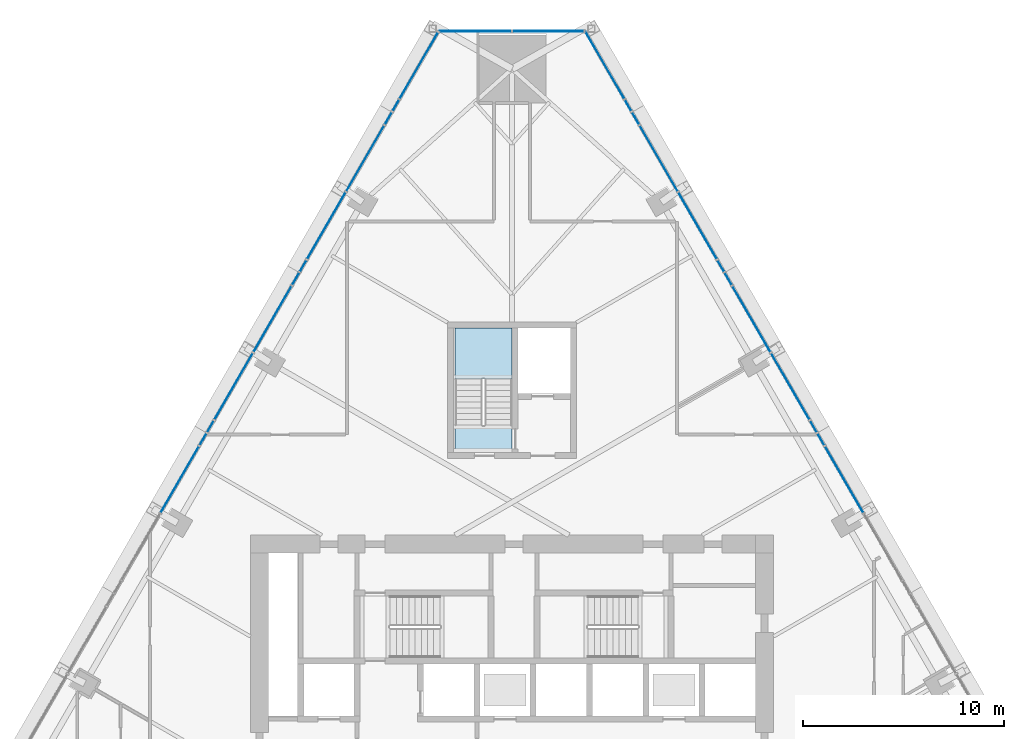
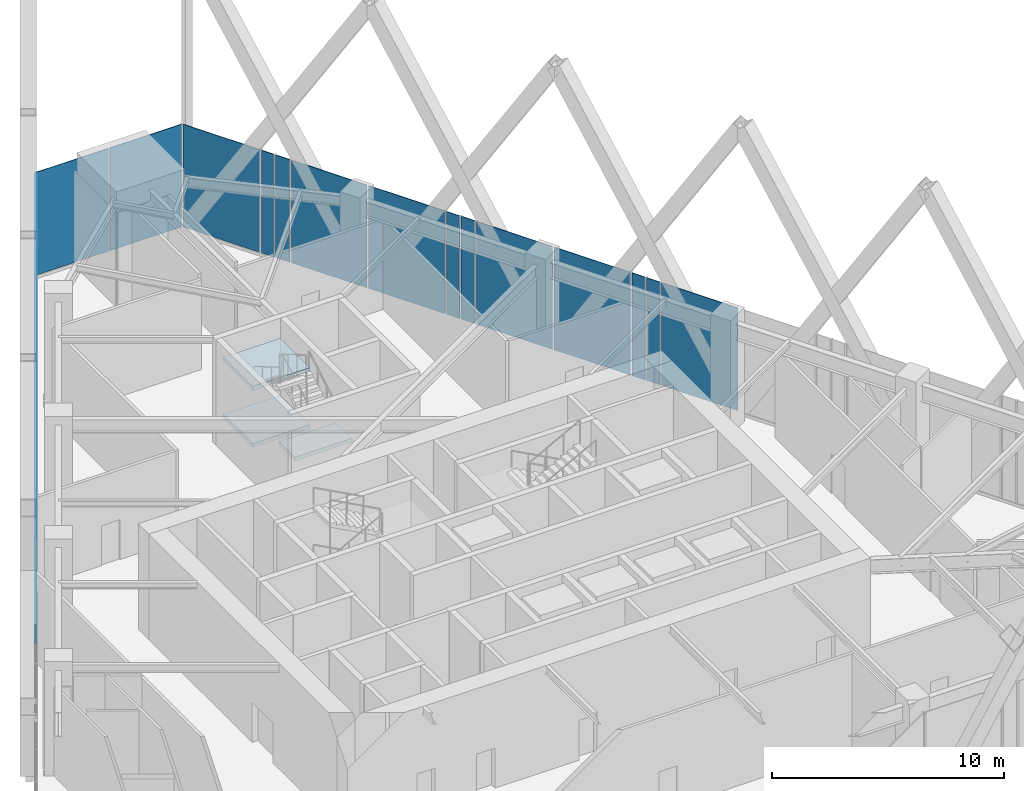
# One storey, part 14 of 21: 26 plates, 3 slabs, 4 elements without a shape of their own.
"""IFC4 building model written with IfcOpenShell, lengths in metres."""

from ifc_helpers import new_model, si_unit, direction, frame, origin, place, context, subcontext, project, spatial, polyline, outline, extrude, material, layer, layer_set, type_object, element, aggregate, save


model = new_model("IFC4")

# Units and contexts
model_context = context("Model", 3, precision=1e-05, world=origin(), true_north=direction((0.0, 1.0)))
body_context = subcontext(model_context, "Body", "Model", "MODEL_VIEW")
ifc_project = project(units=[si_unit("LENGTHUNIT", "METRE"), si_unit("AREAUNIT", "SQUARE_METRE"), si_unit("VOLUMEUNIT", "CUBIC_METRE"), si_unit("PLANEANGLEUNIT", "RADIAN"), si_unit("MASSUNIT", "GRAM", prefix="KILO")], contexts=[model_context])

# Site, building, storey
site_placement = place(None, origin())
site = spatial("IfcSite", under=ifc_project, at=site_placement, CompositionType="ELEMENT")
building_placement = place(site_placement, origin())
building = spatial("IfcBuilding", under=site, at=building_placement, Name="Firuza Gate Tower and Library", CompositionType="ELEMENT")
storey_placement = place(building_placement, frame((0.0, 0.0, 140.800048828125)))
storey = spatial("IfcBuildingStorey", under=building, at=storey_placement, Name="L32", CompositionType="ELEMENT", Elevation=140.800048828125)

# Curtain wall, plates
ifc_material_1 = material(Name="Aluminium 6063-T6", Category="aluminium")
ifc_layer_1 = layer(ifc_material_1, 0.14990234375)
ifc_layer_set_1 = layer_set([ifc_layer_1], Name="Corner curtain wall, chamfers")
curtain_wall_type_1 = type_object("IfcCurtainWallType", Name="Corner curtain wall, chamfers", PredefinedType="NOTDEFINED", material=ifc_layer_set_1)
placement = place(storey_placement, origin())
curtain_wall_1 = element("IfcCurtainWall", 1, at=placement, inside=storey, type_object=curtain_wall_type_1, Name="CW4 L32 N corner", PredefinedType="NOTDEFINED")
ifc_material_2 = material(Name="Fritted glass", Category="glass")
ifc_layer_2 = layer(ifc_material_2, 0.030029296875)
ifc_layer_set_2 = layer_set([ifc_layer_2], Name="Fritted glass unit, corners")
plate_type_1 = type_object("IfcPlateType", Name="Fritted glass unit, corners", PredefinedType="CURTAIN_PANEL", material=ifc_layer_set_2)
plate_1_placement = place(storey_placement, frame((78.603271484375, 109.0615234375, 0.14990234375), z_axis=(0.0, 1.0, 0.0), x_axis=(-1.0, 0.0, 0.0)))
plate_1 = element("IfcPlate", 2, at=plate_1_placement, type_object=plate_type_1, Name="Glass unit", PredefinedType="CURTAIN_PANEL", context=body_context, shape_type="SweptSolid", body=[
    extrude(outline(polyline([(0.0, 0.0), (3.563232421875, 0.0), (3.563232421875, 5.400146484375), (0.0, 5.400146484375), (0.0, 0.0)])), origin(), (0.0, 0.0, -1.0), 0.030029296875),
])
plate_2_placement = place(storey_placement, frame((74.9599609375, 109.0615234375, 0.14990234375), z_axis=(0.0, 1.0, 0.0), x_axis=(-1.0, 0.0, 0.0)))
plate_2 = element("IfcPlate", 3, at=plate_2_placement, type_object=plate_type_1, Name="Glass unit", PredefinedType="CURTAIN_PANEL", context=body_context, shape_type="SweptSolid", body=[
    extrude(outline(polyline([(0.0, 0.0), (3.563232421875, 0.0), (3.563232421875, 5.400146484375), (0.0, 5.400146484375), (0.0, 0.0)])), origin(), (0.0, 0.0, -1.0), 0.030029296875),
])
aggregate(curtain_wall_1, [plate_1, plate_2])

ifc_material_3 = material(Name="Aluminium 6063-T6", Category="aluminium")
ifc_layer_3 = layer(ifc_material_3, 0.14990234375)
ifc_layer_set_3 = layer_set([ifc_layer_3], Name="Unitised curtain wall, offices")
curtain_wall_type_2 = type_object("IfcCurtainWallType", Name="Unitised curtain wall, offices", PredefinedType="NOTDEFINED", material=ifc_layer_set_3)
curtain_wall_2 = element("IfcCurtainWall", 4, at=placement, inside=storey, type_object=curtain_wall_type_2, Name="CW1 L32 E face", PredefinedType="NOTDEFINED")
ifc_material_4 = material(Name="Fritted glass", Category="glass")
ifc_layer_4 = layer(ifc_material_4, 0.030029296875)
ifc_layer_set_4 = layer_set([ifc_layer_4], Name="Fritted glass unit, offices")
plate_type_2 = type_object("IfcPlateType", Name="Fritted glass unit, offices", PredefinedType="CURTAIN_PANEL", material=ifc_layer_set_4)
plate_3_placement = place(storey_placement, frame((90.536865234375, 88.47607421875, 0.14990234375), z_axis=(0.866167339879, 0.49975407885, 0.0), x_axis=(-0.49975407885, 0.866167339879, 0.0)))
plate_3 = element("IfcPlate", 5, at=plate_3_placement, type_object=plate_type_2, Name="Glass unit", PredefinedType="CURTAIN_PANEL", context=body_context, shape_type="SweptSolid", body=[
    extrude(outline(polyline([(0.0, 0.0), (0.6682974469530107, 0.0), (0.6682974469530107, 5.400146484375), (0.0, 5.400146484375), (0.0, 0.0)])), origin(), (0.0, 0.0, -1.0), 0.030029296875),
])
plate_4_placement = place(storey_placement, frame((90.162841796875, 89.124267578125, 0.14990234375), z_axis=(0.865936922628, 0.500153222552, 0.0), x_axis=(-0.500153222552, 0.865936922628, 0.0)))
plate_4 = element("IfcPlate", 6, at=plate_4_placement, type_object=plate_type_2, Name="Glass unit", PredefinedType="CURTAIN_PANEL", context=body_context, shape_type="SweptSolid", body=[
    extrude(outline(polyline([(0.0, 0.0), (0.6540964303508726, 0.0), (0.6540964303508726, 5.400146484375), (0.0, 5.400146484375), (0.0, 0.0)])), origin(), (0.0, 0.0, -1.0), 0.030029296875),
])
plate_5_placement = place(storey_placement, frame((85.93359375, 96.449462890625, 0.14990234375), z_axis=(0.866078408764, 0.499908181442, 0.0), x_axis=(-0.499908181442, 0.866078408764, 0.0)))
plate_5 = element("IfcPlate", 7, at=plate_5_placement, type_object=plate_type_2, Name="Glass unit", PredefinedType="CURTAIN_PANEL", context=body_context, shape_type="SweptSolid", body=[
    extrude(outline(polyline([(0.0, 0.0), (0.6827425643756255, 0.0), (0.6827425643756255, 5.400146484375), (0.0, 5.400146484375), (0.0, 0.0)])), origin(), (0.0, 0.0, -1.0), 0.030029296875),
])
plate_6_placement = place(storey_placement, frame((85.55224609375, 97.110107421875, 0.14990234375), z_axis=(0.865931220513, 0.500163094741, 0.0), x_axis=(-0.500163094741, 0.865931220513, 0.0)))
plate_6 = element("IfcPlate", 8, at=plate_6_placement, type_object=plate_type_2, Name="Glass unit", PredefinedType="CURTAIN_PANEL", context=body_context, shape_type="SweptSolid", body=[
    extrude(outline(polyline([(0.0, 0.0), (0.639439858943886, 0.0), (0.639439858943886, 5.400146484375001), (0.0, 5.400146484375001), (0.0, 0.0)])), origin(), (0.0, 0.0, -1.0), 0.030029296875),
])
plate_7_placement = place(storey_placement, frame((81.330322265625, 104.422607421875, 0.14990234375), z_axis=(0.866080661617, 0.499904278411, 0.0), x_axis=(-0.499904278411, 0.866080661617, 0.0)))
plate_7 = element("IfcPlate", 9, at=plate_7_placement, type_object=plate_type_2, Name="Glass unit", PredefinedType="CURTAIN_PANEL", context=body_context, shape_type="SweptSolid", body=[
    extrude(outline(polyline([(0.0, 0.0), (0.6973991373072661, 0.0), (0.6973991373072661, 5.400146484375), (0.0, 5.400146484375), (0.0, 0.0)])), origin(), (0.0, 0.0, -1.0), 0.030029296875),
])
plate_8_placement = place(storey_placement, frame((80.941650390625, 105.095703125, 0.14990234375), z_axis=(0.8659514991, 0.500127984827, 0.0), x_axis=(-0.500127984827, 0.8659514991, 0.0)))
plate_8 = element("IfcPlate", 10, at=plate_8_placement, type_object=plate_type_2, Name="Glass unit", PredefinedType="CURTAIN_PANEL", context=body_context, shape_type="SweptSolid", body=[
    extrude(outline(polyline([(0.0, 0.0), (0.6253282162027223, 0.0), (0.6253282162027223, 5.400146484375), (0.0, 5.400146484375), (0.0, 0.0)])), origin(), (0.0, 0.0, -1.0), 0.030029296875),
])

curtain_wall_3 = element("IfcCurtainWall", 11, at=placement, inside=storey, type_object=curtain_wall_type_2, Name="CW1 L32 W face", PredefinedType="NOTDEFINED")
plate_9_placement = place(storey_placement, frame((69.37109375, 105.63720703125, 0.14990234375), z_axis=(-0.8659514991, 0.500127984827, 0.0), x_axis=(-0.500127984827, -0.8659514991, 0.0)))
plate_9 = element("IfcPlate", 12, at=plate_9_placement, type_object=plate_type_2, Name="Glass unit", PredefinedType="CURTAIN_PANEL", context=body_context, shape_type="SweptSolid", body=[
    extrude(outline(polyline([(0.0, 0.0), (0.6253282162027223, 0.0), (0.6253282162027223, 5.400146484375), (0.0, 5.400146484375), (0.0, 0.0)])), origin(), (0.0, 0.0, -1.0), 0.030029296875),
])
plate_10_placement = place(storey_placement, frame((69.018310546875, 105.026611328125, 0.14990234375), z_axis=(-0.866080661617, 0.499904278411, 0.0), x_axis=(-0.499904278411, -0.866080661617, 0.0)))
plate_10 = element("IfcPlate", 13, at=plate_10_placement, type_object=plate_type_2, Name="Glass unit", PredefinedType="CURTAIN_PANEL", context=body_context, shape_type="SweptSolid", body=[
    extrude(outline(polyline([(0.0, 0.0), (0.6973991373072661, 0.0), (0.6973991373072661, 5.400146484375), (0.0, 5.400146484375), (0.0, 0.0)])), origin(), (0.0, 0.0, -1.0), 0.030029296875),
])
plate_11_placement = place(storey_placement, frame((64.767578125, 97.663818359375, 0.14990234375), z_axis=(-0.865931220513, 0.500163094741, 0.0), x_axis=(-0.500163094741, -0.865931220513, 0.0)))
plate_11 = element("IfcPlate", 14, at=plate_11_placement, type_object=plate_type_2, Name="Glass unit", PredefinedType="CURTAIN_PANEL", context=body_context, shape_type="SweptSolid", body=[
    extrude(outline(polyline([(0.0, 0.0), (0.639439858943886, 0.0), (0.639439858943886, 5.400146484375001), (0.0, 5.400146484375001), (0.0, 0.0)])), origin(), (0.0, 0.0, -1.0), 0.030029296875),
])
plate_12_placement = place(storey_placement, frame((64.40771484375, 97.040771484375, 0.14990234375), z_axis=(-0.866078408764, 0.499908181442, 0.0), x_axis=(-0.499908181442, -0.866078408764, 0.0)))
plate_12 = element("IfcPlate", 15, at=plate_12_placement, type_object=plate_type_2, Name="Glass unit", PredefinedType="CURTAIN_PANEL", context=body_context, shape_type="SweptSolid", body=[
    extrude(outline(polyline([(0.0, 0.0), (0.6827425643756255, 0.0), (0.6827425643756255, 5.400146484375), (0.0, 5.400146484375), (0.0, 0.0)])), origin(), (0.0, 0.0, -1.0), 0.030029296875),
])
plate_13_placement = place(storey_placement, frame((60.164306640625, 89.690673828125, 0.14990234375), z_axis=(-0.865936922628, 0.500153222552, 0.0), x_axis=(-0.500153222552, -0.865936922628, 0.0)))
plate_13 = element("IfcPlate", 16, at=plate_13_placement, type_object=plate_type_2, Name="Glass unit", PredefinedType="CURTAIN_PANEL", context=body_context, shape_type="SweptSolid", body=[
    extrude(outline(polyline([(0.0, 0.0), (0.6540964303508726, 0.0), (0.6540964303508726, 5.400146484375), (0.0, 5.400146484375), (0.0, 0.0)])), origin(), (0.0, 0.0, -1.0), 0.030029296875),
])
plate_14_placement = place(storey_placement, frame((59.797119140625, 89.054931640625, 0.14990234375), z_axis=(-0.866167339879, 0.49975407885, 0.0), x_axis=(-0.49975407885, -0.866167339879, 0.0)))
plate_14 = element("IfcPlate", 17, at=plate_14_placement, type_object=plate_type_2, Name="Glass unit", PredefinedType="CURTAIN_PANEL", context=body_context, shape_type="SweptSolid", body=[
    extrude(outline(polyline([(0.0, 0.0), (0.6682974469530107, 0.0), (0.6682974469530107, 5.400146484375), (0.0, 5.400146484375), (0.0, 0.0)])), origin(), (0.0, 0.0, -1.0), 0.030029296875),
])

# Plate
ifc_material_5 = material(Name="Glazed ceramic tile")
ifc_layer_5 = layer(ifc_material_5, 0.030029296875)
ifc_layer_set_5 = layer_set([ifc_layer_5], Name="Opaque ceramic panel, offices")
plate_type_3 = type_object("IfcPlateType", Name="Opaque ceramic panel, offices", PredefinedType="CURTAIN_PANEL", material=ifc_layer_set_5)
plate_15_placement = place(storey_placement, frame((92.468017578125, 85.13134765625, 0.14990234375), z_axis=(0.866017890655, 0.500013012896, 0.0), x_axis=(-0.500013012896, 0.866017890655, 0.0)))
plate_15 = element("IfcPlate", 18, at=plate_15_placement, type_object=plate_type_3, Name="Opaque ceramic panel", PredefinedType="CURTAIN_PANEL", context=body_context, shape_type="SweptSolid", body=[
    extrude(outline(polyline([(0.0, 0.0), (3.782128129619359, 0.0), (3.782128129619359, 5.400146484375001), (0.0, 5.400146484375001), (0.0, 0.0)])), origin(), (0.0, 0.0, -1.0), 0.030029296875),
])

plate_16_placement = place(storey_placement, frame((89.795654296875, 89.760009765625, 0.14990234375), z_axis=(0.866030306733, 0.499991507748, 0.0), x_axis=(-0.499991507748, 0.866030306733, 0.0)))
plate_16 = element("IfcPlate", 19, at=plate_16_placement, type_object=plate_type_3, Name="Opaque ceramic panel", PredefinedType="CURTAIN_PANEL", context=body_context, shape_type="SweptSolid", body=[
    extrude(outline(polyline([(0.0, 0.0), (3.7964511995880548, 0.0), (3.7964511995880548, 5.400146484375), (0.0, 5.400146484375), (0.0, 0.0)])), origin(), (0.0, 0.0, -1.0), 0.030029296875),
])

plate_17_placement = place(storey_placement, frame((87.857421875, 93.1171875, 0.14990234375), z_axis=(0.866033438195, 0.499986083735, 0.0), x_axis=(-0.499986083735, 0.866033438195, 0.0)))
plate_17 = element("IfcPlate", 20, at=plate_17_placement, type_object=plate_type_3, Name="Opaque ceramic panel", PredefinedType="CURTAIN_PANEL", context=body_context, shape_type="SweptSolid", body=[
    extrude(outline(polyline([(0.0, 0.0), (3.7676829891531884, 0.0), (3.7676829891531884, 5.400146484375), (0.0, 5.400146484375), (0.0, 0.0)])), origin(), (0.0, 0.0, -1.0), 0.030029296875),
])

plate_18_placement = place(storey_placement, frame((85.1923828125, 97.733154296875, 0.14990234375), z_axis=(0.866030904058, 0.499990473125, 0.0), x_axis=(-0.499990473125, 0.866030904058, 0.0)))
plate_18 = element("IfcPlate", 21, at=plate_18_placement, type_object=plate_type_3, Name="Opaque ceramic panel", PredefinedType="CURTAIN_PANEL", context=body_context, shape_type="SweptSolid", body=[
    extrude(outline(polyline([(0.0, 0.0), (3.8111077721451077, 0.0), (3.8111077721451077, 5.400146484375), (0.0, 5.400146484375), (0.0, 0.0)])), origin(), (0.0, 0.0, -1.0), 0.030029296875),
])

plate_19_placement = place(storey_placement, frame((83.246826171875, 101.10302734375, 0.14990234375), z_axis=(0.866004675687, 0.500035900399, 0.0), x_axis=(-0.500035900399, 0.866004675687, 0.0)))
plate_19 = element("IfcPlate", 22, at=plate_19_placement, type_object=plate_type_3, Name="Opaque ceramic panel", PredefinedType="CURTAIN_PANEL", context=body_context, shape_type="SweptSolid", body=[
    extrude(outline(polyline([(0.0, 0.0), (3.75314848969515, 0.0), (3.75314848969515, 5.400146484375), (0.0, 5.400146484375), (0.0, 0.0)])), origin(), (0.0, 0.0, -1.0), 0.030029296875),
])

plate_20_placement = place(storey_placement, frame((80.589111328125, 105.70654296875, 0.14990234375), z_axis=(0.865999585431, 0.500044716033, 0.0), x_axis=(-0.500044716033, 0.865999585431, 0.0)))
plate_20 = element("IfcPlate", 23, at=plate_20_placement, type_object=plate_type_3, Name="Opaque ceramic panel", PredefinedType="CURTAIN_PANEL", context=body_context, shape_type="SweptSolid", body=[
    extrude(outline(polyline([(0.0, 0.0), (3.8253414855561916, 0.0), (3.8253414855561916, 5.400146484375), (0.0, 5.400146484375), (0.0, 0.0)])), origin(), (0.0, 0.0, -1.0), 0.030029296875),
])

aggregate(curtain_wall_2, [plate_15, plate_3, plate_4, plate_16, plate_17, plate_5, plate_6, plate_18, plate_19, plate_7, plate_8, plate_20])

plate_21_placement = place(storey_placement, frame((71.32373046875, 109.019287109375, 0.14990234375), z_axis=(-0.865999585431, 0.500044716033, 0.0), x_axis=(-0.500044716033, -0.865999585431, 0.0)))
plate_21 = element("IfcPlate", 24, at=plate_21_placement, type_object=plate_type_3, Name="Opaque ceramic panel", PredefinedType="CURTAIN_PANEL", context=body_context, shape_type="SweptSolid", body=[
    extrude(outline(polyline([(0.0, 0.0), (3.8253414855561916, 0.0), (3.8253414855561916, 5.400146484375), (0.0, 5.400146484375), (0.0, 0.0)])), origin(), (0.0, 0.0, -1.0), 0.030029296875),
])

plate_22_placement = place(storey_placement, frame((68.6298828125, 104.353271484375, 0.14990234375), z_axis=(-0.866004675687, 0.500035900399, 0.0), x_axis=(-0.500035900399, -0.866004675687, 0.0)))
plate_22 = element("IfcPlate", 25, at=plate_22_placement, type_object=plate_type_3, Name="Opaque ceramic panel", PredefinedType="CURTAIN_PANEL", context=body_context, shape_type="SweptSolid", body=[
    extrude(outline(polyline([(0.0, 0.0), (3.75314848969515, 0.0), (3.75314848969515, 5.400146484375), (0.0, 5.400146484375), (0.0, 0.0)])), origin(), (0.0, 0.0, -1.0), 0.030029296875),
])

plate_23_placement = place(storey_placement, frame((66.713134765625, 101.03369140625, 0.14990234375), z_axis=(-0.866030904058, 0.499990473125, 0.0), x_axis=(-0.499990473125, -0.866030904058, 0.0)))
plate_23 = element("IfcPlate", 26, at=plate_23_placement, type_object=plate_type_3, Name="Opaque ceramic panel", PredefinedType="CURTAIN_PANEL", context=body_context, shape_type="SweptSolid", body=[
    extrude(outline(polyline([(0.0, 0.0), (3.8111077721451077, 0.0), (3.8111077721451077, 5.400146484375), (0.0, 5.400146484375), (0.0, 0.0)])), origin(), (0.0, 0.0, -1.0), 0.030029296875),
])

plate_24_placement = place(storey_placement, frame((64.0263671875, 96.380126953125, 0.14990234375), z_axis=(-0.866033438195, 0.499986083735, 0.0), x_axis=(-0.499986083735, -0.866033438195, 0.0)))
plate_24 = element("IfcPlate", 27, at=plate_24_placement, type_object=plate_type_3, Name="Opaque ceramic panel", PredefinedType="CURTAIN_PANEL", context=body_context, shape_type="SweptSolid", body=[
    extrude(outline(polyline([(0.0, 0.0), (3.7676829891531884, 0.0), (3.7676829891531884, 5.400146484375), (0.0, 5.400146484375), (0.0, 0.0)])), origin(), (0.0, 0.0, -1.0), 0.030029296875),
])

plate_25_placement = place(storey_placement, frame((62.1025390625, 93.0478515625, 0.14990234375), z_axis=(-0.866030306733, 0.499991507748, 0.0), x_axis=(-0.499991507748, -0.866030306733, 0.0)))
plate_25 = element("IfcPlate", 28, at=plate_25_placement, type_object=plate_type_3, Name="Opaque ceramic panel", PredefinedType="CURTAIN_PANEL", context=body_context, shape_type="SweptSolid", body=[
    extrude(outline(polyline([(0.0, 0.0), (3.7964511995880548, 0.0), (3.7964511995880548, 5.400146484375), (0.0, 5.400146484375), (0.0, 0.0)])), origin(), (0.0, 0.0, -1.0), 0.030029296875),
])

plate_26_placement = place(storey_placement, frame((59.423095703125, 88.40673828125, 0.14990234375), z_axis=(-0.866017890655, 0.500013012896, 0.0), x_axis=(-0.500013012896, -0.866017890655, 0.0)))
plate_26 = element("IfcPlate", 29, at=plate_26_placement, type_object=plate_type_3, Name="Opaque ceramic panel", PredefinedType="CURTAIN_PANEL", context=body_context, shape_type="SweptSolid", body=[
    extrude(outline(polyline([(0.0, 0.0), (3.782128129619359, 0.0), (3.782128129619359, 5.400146484375001), (0.0, 5.400146484375001), (0.0, 0.0)])), origin(), (0.0, 0.0, -1.0), 0.030029296875),
])

aggregate(curtain_wall_3, [plate_21, plate_9, plate_10, plate_22, plate_23, plate_11, plate_12, plate_24, plate_25, plate_13, plate_14, plate_26])

# Stair, slabs
ifc_material_6 = material(Name="Concrete C35/45", Category="concrete")
stair_type = type_object("IfcStairType", Name="Exit stair ST15", PredefinedType="HALF_TURN_STAIR", material=ifc_material_6)
stair = element("IfcStair", 30, at=placement, inside=storey, type_object=stair_type, Name="L32 Stair ST3", PredefinedType="HALF_TURN_STAIR")
ifc_material_7 = material(Name="Concrete C35/45", Category="concrete")
ifc_layer_6 = layer(ifc_material_7, 0.199951171875)
ifc_layer_set_6 = layer_set([ifc_layer_6], Name="Stair landing 200")
slab_type = type_object("IfcSlabType", Name="Stair landing 200", PredefinedType="LANDING", material=ifc_layer_set_6)
slab_1_placement = place(storey_placement, frame((0.0, 0.0, 1.300048828125)))
slab_1 = element("IfcSlab", 31, at=slab_1_placement, type_object=slab_type, Name="ST3 landing 1", PredefinedType="LANDING", context=body_context, shape_type="SweptSolid", body=[
    extrude(outline(polyline([(75.0, 91.75), (75.0, 94.300048828125), (72.159912109375, 94.300048828125), (72.159912109375, 91.75), (75.0, 91.75)])), origin(), (0.0, 0.0, 1.0), 0.199951171875),
])
slab_2_placement = place(storey_placement, frame((0.0, 0.0, 2.800048828125)))
slab_2 = element("IfcSlab", 32, at=slab_2_placement, type_object=slab_type, Name="ST3 landing 2", PredefinedType="LANDING", context=body_context, shape_type="SweptSolid", body=[
    extrude(outline(polyline([(75.0, 88.10009765625), (75.0, 89.469970703125), (72.159912109375, 89.469970703125), (72.159912109375, 88.10009765625), (75.0, 88.10009765625)])), origin(), (0.0, 0.0, 1.0), 0.199951171875),
])
slab_3_placement = place(storey_placement, frame((0.0, 0.0, 4.300048828125)))
slab_3 = element("IfcSlab", 33, at=slab_3_placement, type_object=slab_type, Name="ST3 landing 3", PredefinedType="LANDING", context=body_context, shape_type="SweptSolid", body=[
    extrude(outline(polyline([(75.0, 91.75), (75.0, 94.300048828125), (72.159912109375, 94.300048828125), (72.159912109375, 91.75), (75.0, 91.75)])), origin(), (0.0, 0.0, 1.0), 0.199951171875),
])
aggregate(stair, [slab_1, slab_2, slab_3])

save(model, "model.ifc")
